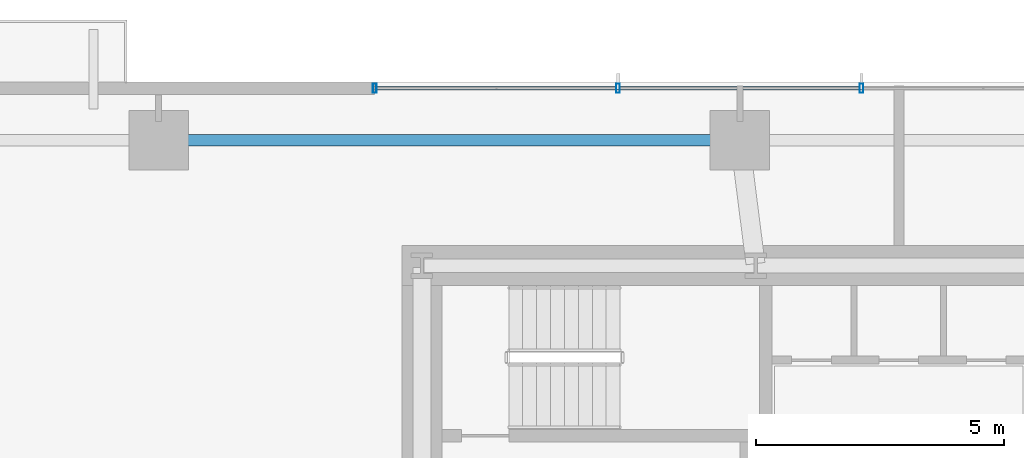
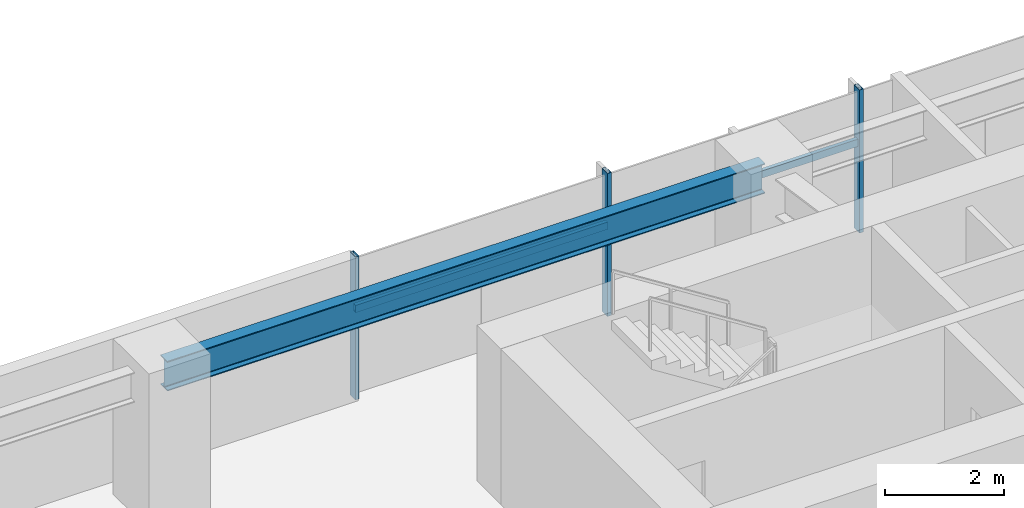
# One storey, part 10 of 25: 5 members, 1 beam, 1 element without a shape of its own.
"""IFC4 building model written with IfcOpenShell, lengths in metres."""

from ifc_helpers import new_model, si_unit, direction, frame, origin, origin_2d, place, context, subcontext, project, spatial, hollow_rectangle, i_section, extrude, source, transform, mapped, material, material_profile, profile_set, type_object, type_shapes, element, aggregate, save


model = new_model("IFC4")

# Units and contexts
model_context = context("Model", 3, precision=1e-05, world=origin(), true_north=direction((0.0, 1.0)))
body_context = subcontext(model_context, "Body", "Model", "MODEL_VIEW")
ifc_project = project(units=[si_unit("LENGTHUNIT", "METRE"), si_unit("AREAUNIT", "SQUARE_METRE"), si_unit("VOLUMEUNIT", "CUBIC_METRE"), si_unit("PLANEANGLEUNIT", "RADIAN"), si_unit("MASSUNIT", "GRAM", prefix="KILO")], contexts=[model_context])

# Site, building, storey
site_placement = place(None, origin())
site = spatial("IfcSite", under=ifc_project, at=site_placement, CompositionType="ELEMENT")
building_placement = place(site_placement, origin())
building = spatial("IfcBuilding", under=site, at=building_placement, Name="Astriad Promenade Condominiums", CompositionType="ELEMENT")
storey_placement = place(building_placement, frame((0.0, 0.0, 29.39990234375)))
storey = spatial("IfcBuildingStorey", under=building, at=storey_placement, Name="L07", CompositionType="ELEMENT", Elevation=29.39990234375)

# Beam
ifc_material_1 = material(Name="Steel ASTM A992 Grade 50", Category="steel")
ifc_material_profile_1 = material_profile(ifc_material_1, i_section(OverallWidth=0.22900390625, OverallDepth=0.612060546875, WebThickness=0.011962890625, FlangeThickness=0.01953125, FilletRadius=0.017822265625, at=origin_2d()), Name="W24X84")
ifc_profile_set_1 = profile_set([ifc_material_profile_1], Name="Steel ASTM A992 Grade 50")
beam_type = type_object("IfcBeamType", Name="STEEL SPANDREL BEAM W24X84", PredefinedType="SPANDREL", material=ifc_profile_set_1)
shared_shape_1 = source(origin(), body_context, "Body", "SweptSolid", [
    extrude(i_section(OverallWidth=0.22900390625, OverallDepth=0.612060546875, WebThickness=0.011962890625, FlangeThickness=0.01953125, FilletRadius=0.017822265625, at=origin_2d()), origin(), (0.0, 0.0, 1.0), 11.6201171875),
])
type_shapes(beam_type, [shared_shape_1])
beam_placement = place(storey_placement, frame((32.760009765625, 26.52001953125, 2.634033203125), z_axis=(-1.0, 0.0, 0.0), x_axis=(0.0, -1.0, 0.0)))
element("IfcBeam", 1, at=beam_placement, inside=storey, type_object=beam_type, Name="Perimeter Spandrel Beam SP-N2-L07", PredefinedType="SPANDREL", context=body_context, shape_type="MappedRepresentation", body=[
    mapped(shared_shape_1, transform((0.0, 0.0, 0.0), scale=1.0)),
])

# Curtain wall, members
ifc_material_2 = material(Name="Anodised aluminium Black Dark Glass Unitised", Category="aluminium")
curtain_wall_type = type_object("IfcCurtainWallType", Name="CW-B1-DARK", PredefinedType="USERDEFINED", material=ifc_material_2)
curtain_wall_placement = place(storey_placement, origin())
curtain_wall = element("IfcCurtainWall", 2, at=curtain_wall_placement, inside=storey, type_object=curtain_wall_type, Name="CW-L07-N", ObjectType="UNITISED_CURTAIN_WALL", PredefinedType="USERDEFINED")
ifc_material_3 = material(Name="Anodised aluminium 6063-T6 Black", Category="aluminium")
ifc_material_profile_2 = material_profile(ifc_material_3, hollow_rectangle(XDim=0.074951171875, YDim=0.14990234375, WallThickness=0.004150390625, at=origin_2d()), Name="ALU-TRN-75X150")
ifc_profile_set_2 = profile_set([ifc_material_profile_2], Name="Anodised aluminium 6063-T6 Black")
member_type_1 = type_object("IfcMemberType", Name="TRN-ALU-TRN-75X150", PredefinedType="USERDEFINED", material=ifc_profile_set_2)
shared_shape_2 = source(origin(), body_context, "Body", "SweptSolid", [
    extrude(hollow_rectangle(XDim=0.074951171875, YDim=0.14990234375, WallThickness=0.004150390625, at=origin_2d()), origin(), (0.0, 0.0, 1.0), 4.900146484375),
])
member_1_placement = place(storey_placement, frame((25.449951171875, 27.570068359375, 1.822998046875), z_axis=(1.0, 0.0, 0.0), x_axis=(0.0, 1.0, 0.0)))
member_1 = element("IfcMember", 3, at=member_1_placement, type_object=member_type_1, Name="CW-L07-N-TRN-00-0", ObjectType="TRANSOM", PredefinedType="USERDEFINED", context=body_context, shape_type="MappedRepresentation", body=[
    mapped(shared_shape_2, transform((0.0, 0.0, 0.0), scale=1.0)),
])
shared_shape_3 = source(origin(), body_context, "Body", "SweptSolid", [
    extrude(hollow_rectangle(XDim=0.074951171875, YDim=0.14990234375, WallThickness=0.004150390625, at=origin_2d()), origin(), (0.0, 0.0, 1.0), 4.89990234375),
])
type_shapes(member_type_1, [shared_shape_2, shared_shape_3])
member_2_placement = place(storey_placement, frame((30.35009765625, 27.570068359375, 1.822998046875), z_axis=(1.0, 0.0, 0.0), x_axis=(0.0, 1.0, 0.0)))
member_2 = element("IfcMember", 4, at=member_2_placement, type_object=member_type_1, Name="CW-L07-N-TRN-01-0", ObjectType="TRANSOM", PredefinedType="USERDEFINED", context=body_context, shape_type="MappedRepresentation", body=[
    mapped(shared_shape_3, transform((0.0, 0.0, 0.0), scale=1.0)),
])
ifc_material_profile_3 = material_profile(ifc_material_3, hollow_rectangle(XDim=0.074951171875, YDim=0.18505859375, WallThickness=0.00439453125, at=origin_2d()), Name="ALU-MUL-75X185")
ifc_profile_set_3 = profile_set([ifc_material_profile_3], Name="Anodised aluminium 6063-T6 Black")
member_type_2 = type_object("IfcMemberType", Name="MUL-ALU-MUL-75X185", PredefinedType="MULLION", material=ifc_profile_set_3)
shared_shape_4 = source(origin(), body_context, "Body", "SweptSolid", [
    extrude(hollow_rectangle(XDim=0.074951171875, YDim=0.18505859375, WallThickness=0.00439453125, at=origin_2d()), origin(), (0.0, 0.0, 1.0), 2.940185546875),
])
type_shapes(member_type_2, [shared_shape_4])
member_3_placement = place(storey_placement, frame((25.449951171875, 27.570068359375, 0.0), z_axis=(0.0, 0.0, 1.0), x_axis=(1.0, 0.0, 0.0)))
member_3 = element("IfcMember", 5, at=member_3_placement, type_object=member_type_2, Name="CW-L07-N-MUL-00", PredefinedType="MULLION", context=body_context, shape_type="MappedRepresentation", body=[
    mapped(shared_shape_4, transform((0.0, 0.0, 0.0), scale=1.0)),
])
member_4_placement = place(storey_placement, frame((30.35009765625, 27.570068359375, 0.0), z_axis=(0.0, 0.0, 1.0), x_axis=(1.0, 0.0, 0.0)))
member_4 = element("IfcMember", 6, at=member_4_placement, type_object=member_type_2, Name="CW-L07-N-MUL-01", PredefinedType="MULLION", context=body_context, shape_type="MappedRepresentation", body=[
    mapped(shared_shape_4, transform((0.0, 0.0, 0.0), scale=1.0)),
])
member_5_placement = place(storey_placement, frame((35.25, 27.570068359375, 0.0), z_axis=(0.0, 0.0, 1.0), x_axis=(1.0, 0.0, 0.0)))
member_5 = element("IfcMember", 7, at=member_5_placement, type_object=member_type_2, Name="CW-L07-N-MUL-02", PredefinedType="MULLION", context=body_context, shape_type="MappedRepresentation", body=[
    mapped(shared_shape_4, transform((0.0, 0.0, 0.0), scale=1.0)),
])
aggregate(curtain_wall, [member_3, member_4, member_5, member_1, member_2])

save(model, "model.ifc")
